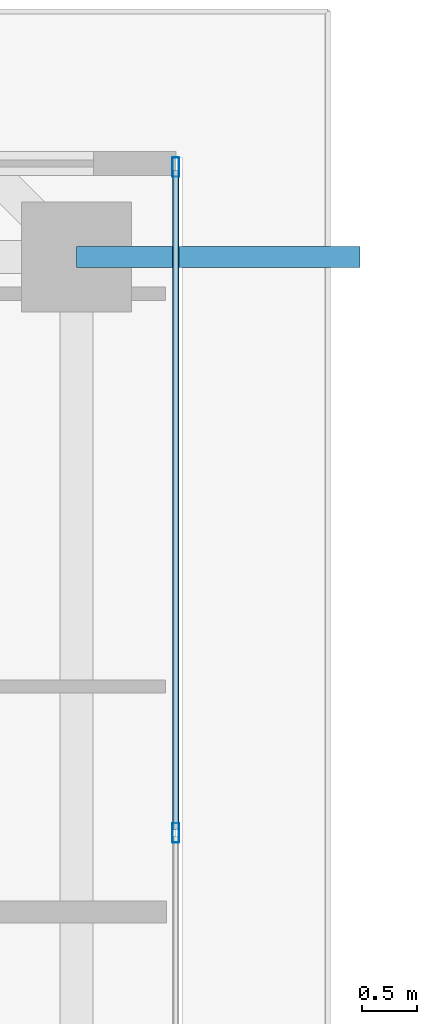
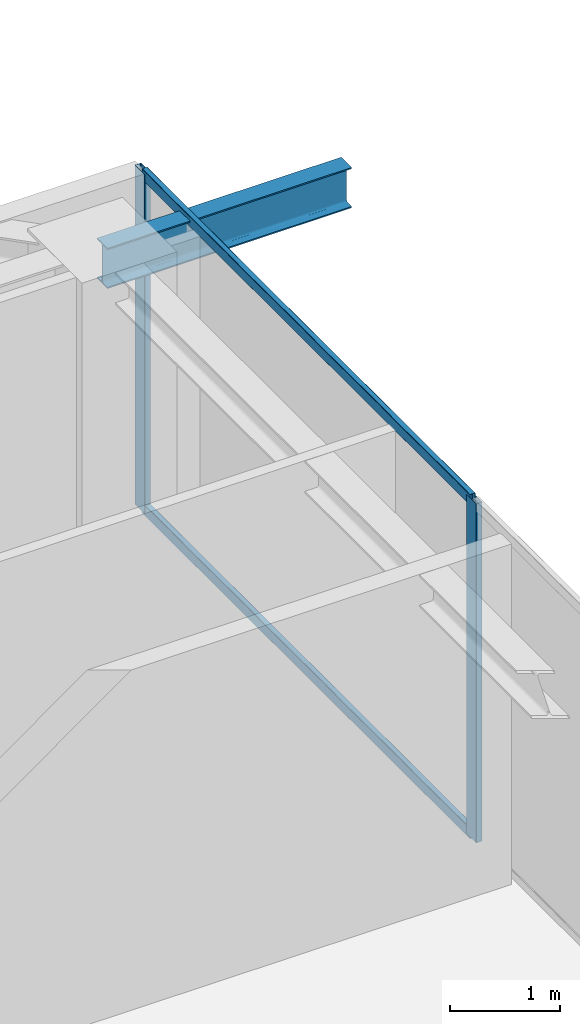
# One storey, part 24 of 38: 4 members, 1 beam, 1 element without a shape of its own.
"""IFC4 building model written with IfcOpenShell, lengths in metres."""

from ifc_helpers import new_model, si_unit, direction, frame, origin, origin_2d, place, context, subcontext, project, spatial, hollow_rectangle, i_section, extrude, source, transform, mapped, material, layer, layer_set, material_profile, profile_set, type_object, element, aggregate, save


model = new_model("IFC4")

# Units and contexts
model_context = context("Model", 3, precision=1e-05, world=origin(), true_north=direction((0.0, 1.0)))
body_context = subcontext(model_context, "Body", "Model", "MODEL_VIEW")
ifc_project = project(units=[si_unit("LENGTHUNIT", "METRE"), si_unit("AREAUNIT", "SQUARE_METRE"), si_unit("VOLUMEUNIT", "CUBIC_METRE"), si_unit("PLANEANGLEUNIT", "RADIAN"), si_unit("MASSUNIT", "GRAM", prefix="KILO")], contexts=[model_context])

# Site, building, storey
site_placement = place(None, origin())
site = spatial("IfcSite", under=ifc_project, at=site_placement, CompositionType="ELEMENT")
building_placement = place(site_placement, origin())
building = spatial("IfcBuilding", under=site, at=building_placement, Name="Serunith Strait Residences", CompositionType="ELEMENT")
storey_placement = place(building_placement, frame((0.0, 0.0, 321.800048828125)))
storey = spatial("IfcBuildingStorey", under=building, at=storey_placement, Name="L80", CompositionType="ELEMENT", Elevation=321.800048828125)

# Beam
ifc_material_1 = material(Name="Steel S355J2", Category="steel")
ifc_material_profile_1 = material_profile(ifc_material_1, i_section(OverallWidth=0.18994140625, OverallDepth=0.449951171875, WebThickness=0.009521484375, FlangeThickness=0.0146484375, FilletRadius=0.02099609375, at=origin_2d()), Name="IPE 450")
ifc_profile_set_1 = profile_set([ifc_material_profile_1], Name="Steel S355J2")
beam_type = type_object("IfcBeamType", Name="BM-IPE450", PredefinedType="JOIST", material=ifc_profile_set_1)
shared_shape_1 = source(origin(), body_context, "Body", "SweptSolid", [
    extrude(i_section(OverallWidth=0.18994140625, OverallDepth=0.449951171875, WebThickness=0.009521484375, FlangeThickness=0.0146484375, FilletRadius=0.02099609375, at=origin_2d()), origin(), (0.0, 0.0, 1.0), 2.572265625),
])
beam_placement = place(storey_placement, frame((54.699951171875, 39.550048828125, 3.531982421875), z_axis=(1.0, 0.0, 0.0), x_axis=(0.0, 1.0, 0.0)))
element("IfcBeam", 1, at=beam_placement, inside=storey, type_object=beam_type, Name="L81 Cantilevered Balcony Rib TC-E4", PredefinedType="JOIST", context=body_context, shape_type="MappedRepresentation", body=[
    mapped(shared_shape_1, transform((0.0, 0.0, 0.0), scale=1.0)),
])

# Curtain wall, members
ifc_material_2 = material(Name="Brushed Stainless-Silver Aluminium", Category="aluminium")
ifc_layer = layer(ifc_material_2, 0.199951171875, Name="Brushed Stainless-Silver Aluminium")
ifc_layer_set = layer_set([ifc_layer], Name="Brushed Stainless-Silver Aluminium")
curtain_wall_type = type_object("IfcCurtainWallType", Name="CW-SYS5", PredefinedType="NOTDEFINED", material=ifc_layer_set)
curtain_wall_placement = place(storey_placement, origin())
curtain_wall = element("IfcCurtainWall", 2, at=curtain_wall_placement, inside=storey, type_object=curtain_wall_type, Name="L80 E Unitised Fritted Curtain Wall", PredefinedType="NOTDEFINED")
ifc_material_profile_2 = material_profile(ifc_material_2, hollow_rectangle(XDim=0.06005859375, YDim=0.1201171875, WallThickness=0.00341796875, InnerFilletRadius=0.00537109375, OuterFilletRadius=0.0087890625, at=origin_2d()), Name="ALU 120x60x3.5")
ifc_profile_set_2 = profile_set([ifc_material_profile_2], Name="Brushed Stainless-Silver Aluminium")
member_type_1 = type_object("IfcMemberType", Name="CW-SYS5-TRAN", PredefinedType="USERDEFINED", material=ifc_profile_set_2)
shared_shape_2 = source(origin(), body_context, "Body", "SweptSolid", [
    extrude(hollow_rectangle(XDim=0.06005859375, YDim=0.1201171875, WallThickness=0.00341796875, InnerFilletRadius=0.00537109375, OuterFilletRadius=0.0087890625, at=origin_2d()), origin(), (0.0, 0.0, 1.0), 5.982421875),
])
member_1_placement = place(storey_placement, frame((55.60009765625, 34.3525390625, 0.030029296875), z_axis=(0.0, 1.0, 0.0), x_axis=(-1.0, 0.0, 0.0)))
member_1 = element("IfcMember", 3, at=member_1_placement, type_object=member_type_1, Name="CW-5 transom 5.1", ObjectType="TRANSOM", PredefinedType="USERDEFINED", context=body_context, shape_type="MappedRepresentation", body=[
    mapped(shared_shape_2, transform((0.0, 0.0, 0.0), scale=1.0)),
])
member_2_placement = place(storey_placement, frame((55.60009765625, 34.3525390625, 3.744873046875), z_axis=(0.0, 1.0, 0.0), x_axis=(-1.0, 0.0, 0.0)))
member_2 = element("IfcMember", 4, at=member_2_placement, type_object=member_type_1, Name="CW-5 transom 5.2", ObjectType="TRANSOM", PredefinedType="USERDEFINED", context=body_context, shape_type="MappedRepresentation", body=[
    mapped(shared_shape_2, transform((0.0, 0.0, 0.0), scale=1.0)),
])
ifc_material_profile_3 = material_profile(ifc_material_2, hollow_rectangle(XDim=0.06494140625, YDim=0.179931640625, WallThickness=0.00341796875, InnerFilletRadius=0.00537109375, OuterFilletRadius=0.0087890625, at=origin_2d()), Name="ALU 180x65x3.5")
ifc_profile_set_3 = profile_set([ifc_material_profile_3], Name="Brushed Stainless-Silver Aluminium")
member_type_2 = type_object("IfcMemberType", Name="CW-SYS5-MULL", PredefinedType="MULLION", material=ifc_profile_set_3)
shared_shape_3 = source(origin(), body_context, "Body", "SweptSolid", [
    extrude(hollow_rectangle(XDim=0.06494140625, YDim=0.179931640625, WallThickness=0.00341796875, InnerFilletRadius=0.00537109375, OuterFilletRadius=0.0087890625, at=origin_2d()), origin(), (0.0, 0.0, 1.0), 3.77490234375),
])
member_3_placement = place(storey_placement, frame((55.60009765625, 34.320068359375, 0.0), z_axis=(0.0, 0.0, 1.0), x_axis=(-1.0, 0.0, 0.0)))
member_3 = element("IfcMember", 5, at=member_3_placement, type_object=member_type_2, Name="CW-5 mullion 5", PredefinedType="MULLION", context=body_context, shape_type="MappedRepresentation", body=[
    mapped(shared_shape_3, transform((0.0, 0.0, 0.0), scale=1.0)),
])
member_4_placement = place(storey_placement, frame((55.60009765625, 40.367431640625, 0.0), z_axis=(0.0, 0.0, 1.0), x_axis=(-1.0, 0.0, 0.0)))
member_4 = element("IfcMember", 6, at=member_4_placement, type_object=member_type_2, Name="CW-5 mullion 6", PredefinedType="MULLION", context=body_context, shape_type="MappedRepresentation", body=[
    mapped(shared_shape_3, transform((0.0, 0.0, 0.0), scale=1.0)),
])
aggregate(curtain_wall, [member_3, member_4, member_1, member_2])

save(model, "model.ifc")
